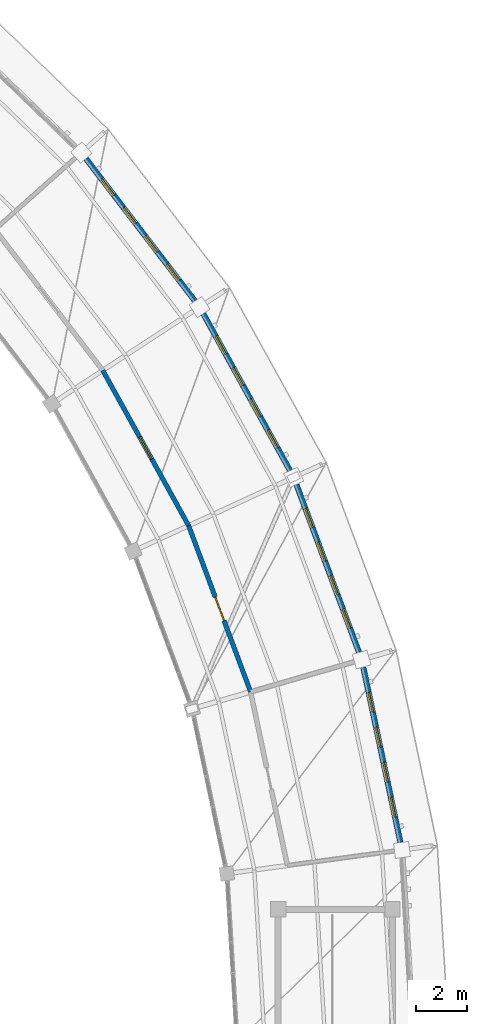
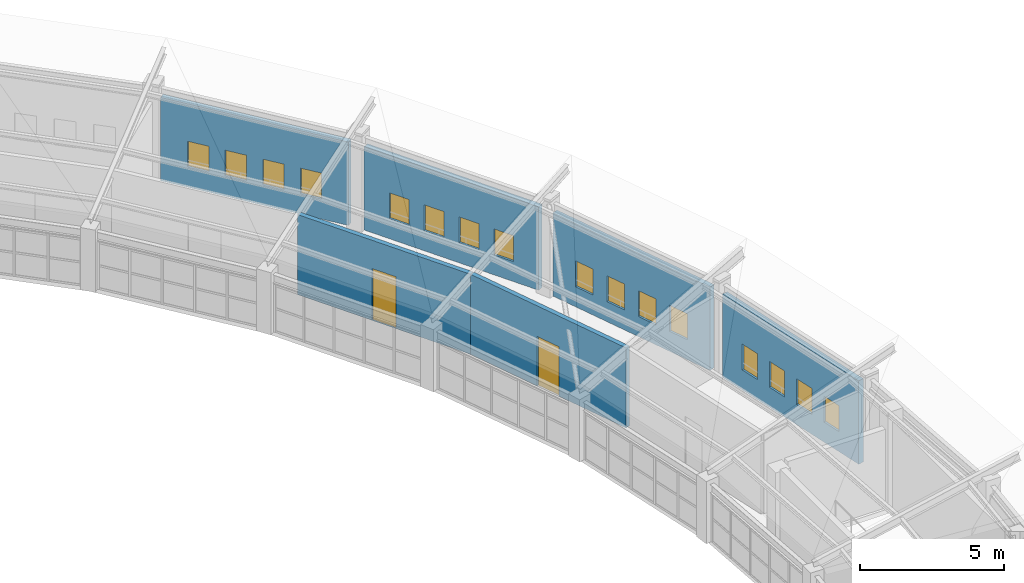
# One storey, part 134 of 149: 16 windows, 6 walls, 2 doors, 18 openings.
"""IFC4 building model written with IfcOpenShell, lengths in metres."""

from ifc_helpers import new_model, si_unit, direction, frame, frame_2d, origin, place, context, subcontext, project, spatial, rectangle, extrude, material, layer, layer_set, type_object, element, fill, save


model = new_model("IFC4")

# Units and contexts
model_context = context("Model", 3, precision=1e-05, world=origin(), true_north=direction((0.0, 1.0)))
body_context = subcontext(model_context, "Body", "Model", "MODEL_VIEW")
ifc_project = project(units=[si_unit("LENGTHUNIT", "METRE"), si_unit("AREAUNIT", "SQUARE_METRE"), si_unit("VOLUMEUNIT", "CUBIC_METRE"), si_unit("PLANEANGLEUNIT", "RADIAN"), si_unit("MASSUNIT", "GRAM", prefix="KILO")], contexts=[model_context])

# Site, building, storey
site_placement = place(None, origin())
site = spatial("IfcSite", under=ifc_project, at=site_placement, CompositionType="ELEMENT")
building_placement = place(site_placement, origin())
building = spatial("IfcBuilding", under=site, at=building_placement, Name="Celadon Cloister-Ring School", CompositionType="ELEMENT")
storey_placement = place(building_placement, frame((0.0, 0.0, 12.5)))
storey = spatial("IfcBuildingStorey", under=building, at=storey_placement, Name="L03", CompositionType="ELEMENT", Elevation=12.5)

# Wall, openings, windows
ifc_material_1 = material(Name="Perforated terracotta clay brick masonry", Category="masonry")
ifc_layer_1 = layer(ifc_material_1, 0.219970703125)
ifc_layer_set_1 = layer_set([ifc_layer_1], Name="Perforated terracotta clay brick masonry")
wall_type_1 = type_object("IfcWallType", Name="WT-EX4", PredefinedType="SOLIDWALL", material=ifc_layer_set_1)
wall_1_placement = place(storey_placement, frame((136.9990234375, 73.2041015625, 0.0), z_axis=(0.0, 0.0, 1.0), x_axis=(0.207259317734, -0.978286039567, 0.0)))
wall_1 = element("IfcWall", 1, at=wall_1_placement, inside=storey, type_object=wall_type_1, Name="Exterior Wall 0203", PredefinedType="SOLIDWALL", context=body_context, shape_type="SweptSolid", body=[
    extrude(rectangle(XDim=7.0830078125, YDim=0.219970703125, at=frame_2d((3.54150390625, 0.0))), origin(), (0.0, 0.0, 1.0), 3.537109375),
])
opening_1_placement = place(wall_1_placement, frame((1.01708984375, 0.0, 0.85009765625)))
opening_1 = element("IfcOpeningElement", 2, at=opening_1_placement, cuts=wall_1, Name="Opening WN-01", PredefinedType="OPENING", context=body_context, shape_type="SweptSolid", body=[
    extrude(rectangle(XDim=0.800048828125, YDim=1.10009765625, at=frame_2d((0.39990234375, 0.550048828125))), frame((0.0, 0.1201171875, 0.0), z_axis=(0.0, -1.0, 0.0), x_axis=(1.0, 0.0, 0.0)), (0.0, 0.0, 1.0), 0.239990234375),
])
opening_2_placement = place(wall_1_placement, frame((2.43310546875, 0.0, 0.85009765625)))
opening_2 = element("IfcOpeningElement", 3, at=opening_2_placement, cuts=wall_1, Name="Opening WN-01", PredefinedType="OPENING", context=body_context, shape_type="SweptSolid", body=[
    extrude(rectangle(XDim=0.800048828125, YDim=1.10009765625, at=frame_2d((0.39990234375, 0.550048828125))), frame((0.0, 0.1201171875, 0.0), z_axis=(0.0, -1.0, 0.0), x_axis=(1.0, 0.0, 0.0)), (0.0, 0.0, 1.0), 0.239990234375),
])
opening_3_placement = place(wall_1_placement, frame((3.85009765625, 0.0, 0.85009765625)))
opening_3 = element("IfcOpeningElement", 4, at=opening_3_placement, cuts=wall_1, Name="Opening WN-01", PredefinedType="OPENING", context=body_context, shape_type="SweptSolid", body=[
    extrude(rectangle(XDim=0.800048828125, YDim=1.10009765625, at=frame_2d((0.39990234375, 0.550048828125))), frame((0.0, 0.1201171875, 0.0), z_axis=(0.0, -1.0, 0.0), x_axis=(1.0, 0.0, 0.0)), (0.0, 0.0, 1.0), 0.239990234375),
])
opening_4_placement = place(wall_1_placement, frame((5.26611328125, 0.0, 0.85009765625)))
opening_4 = element("IfcOpeningElement", 5, at=opening_4_placement, cuts=wall_1, Name="Opening WN-01", PredefinedType="OPENING", context=body_context, shape_type="SweptSolid", body=[
    extrude(rectangle(XDim=0.800048828125, YDim=1.10009765625, at=frame_2d((0.39990234375, 0.550048828125))), frame((0.0, 0.1201171875, 0.0), z_axis=(0.0, -1.0, 0.0), x_axis=(1.0, 0.0, 0.0)), (0.0, 0.0, 1.0), 0.239990234375),
])
ifc_material_2 = material(Name="Tempered laminated insulating glass", Category="glass")
window_type = type_object("IfcWindowType", Name="WN-01", PartitioningType="SINGLE_PANEL", PredefinedType="WINDOW", material=ifc_material_2)
window_1_placement = place(opening_1_placement, origin())
window_1 = element("IfcWindow", 6, at=window_1_placement, inside=storey, type_object=window_type, Name="Window 0552", OverallHeight=1.10009765625, OverallWidth=0.800048828125, PartitioningType="SINGLE_PANEL", PredefinedType="WINDOW", context=body_context, shape_type="SweptSolid", body=[
    extrude(rectangle(XDim=0.800048828125, YDim=1.10009765625, at=frame_2d((0.39990234375, 0.550048828125))), frame((0.0, 0.030029296875, 0.0), z_axis=(0.0, -1.0, 0.0), x_axis=(1.0, 0.0, 0.0)), (0.0, 0.0, 1.0), 0.06005859375),
])
fill(opening_1, window_1)
window_2_placement = place(opening_2_placement, origin())
window_2 = element("IfcWindow", 7, at=window_2_placement, inside=storey, type_object=window_type, Name="Window 0553", OverallHeight=1.10009765625, OverallWidth=0.800048828125, PartitioningType="SINGLE_PANEL", PredefinedType="WINDOW", context=body_context, shape_type="SweptSolid", body=[
    extrude(rectangle(XDim=0.800048828125, YDim=1.10009765625, at=frame_2d((0.39990234375, 0.550048828125))), frame((0.0, 0.030029296875, 0.0), z_axis=(0.0, -1.0, 0.0), x_axis=(1.0, 0.0, 0.0)), (0.0, 0.0, 1.0), 0.06005859375),
])
fill(opening_2, window_2)
window_3_placement = place(opening_3_placement, origin())
window_3 = element("IfcWindow", 8, at=window_3_placement, inside=storey, type_object=window_type, Name="Window 0554", OverallHeight=1.10009765625, OverallWidth=0.800048828125, PartitioningType="SINGLE_PANEL", PredefinedType="WINDOW", context=body_context, shape_type="SweptSolid", body=[
    extrude(rectangle(XDim=0.800048828125, YDim=1.10009765625, at=frame_2d((0.39990234375, 0.550048828125))), frame((0.0, 0.030029296875, 0.0), z_axis=(0.0, -1.0, 0.0), x_axis=(1.0, 0.0, 0.0)), (0.0, 0.0, 1.0), 0.06005859375),
])
fill(opening_3, window_3)
window_4_placement = place(opening_4_placement, origin())
window_4 = element("IfcWindow", 9, at=window_4_placement, inside=storey, type_object=window_type, Name="Window 0555", OverallHeight=1.10009765625, OverallWidth=0.800048828125, PartitioningType="SINGLE_PANEL", PredefinedType="WINDOW", context=body_context, shape_type="SweptSolid", body=[
    extrude(rectangle(XDim=0.800048828125, YDim=1.10009765625, at=frame_2d((0.39990234375, 0.550048828125))), frame((0.0, 0.030029296875, 0.0), z_axis=(0.0, -1.0, 0.0), x_axis=(1.0, 0.0, 0.0)), (0.0, 0.0, 1.0), 0.06005859375),
])
fill(opening_4, window_4)

wall_2_placement = place(storey_placement, frame((134.35302734375, 80.43505859375, 0.0), z_axis=(0.0, 0.0, 1.0), x_axis=(0.349192123714, -0.937051151611, 0.0)))
wall_2 = element("IfcWall", 10, at=wall_2_placement, inside=storey, type_object=wall_type_1, Name="Exterior Wall 0204", PredefinedType="SOLIDWALL", context=body_context, shape_type="SweptSolid", body=[
    extrude(rectangle(XDim=7.081787109375, YDim=0.219970703125, at=frame_2d((3.541015625, 0.0))), origin(), (0.0, 0.0, 1.0), 3.537109375),
])
opening_5_placement = place(wall_2_placement, frame((1.01611328125, 0.0, 0.85009765625)))
opening_5 = element("IfcOpeningElement", 11, at=opening_5_placement, cuts=wall_2, Name="Opening WN-01", PredefinedType="OPENING", context=body_context, shape_type="SweptSolid", body=[
    extrude(rectangle(XDim=0.800048828125, YDim=1.10009765625, at=frame_2d((0.39990234375, 0.550048828125))), frame((0.0, 0.1201171875, 0.0), z_axis=(0.0, -1.0, 0.0), x_axis=(1.0, 0.0, 0.0)), (0.0, 0.0, 1.0), 0.239990234375),
])
opening_6_placement = place(wall_2_placement, frame((2.43310546875, 0.0, 0.85009765625)))
opening_6 = element("IfcOpeningElement", 12, at=opening_6_placement, cuts=wall_2, Name="Opening WN-01", PredefinedType="OPENING", context=body_context, shape_type="SweptSolid", body=[
    extrude(rectangle(XDim=0.800048828125, YDim=1.10009765625, at=frame_2d((0.39990234375, 0.550048828125))), frame((0.0, 0.1201171875, 0.0), z_axis=(0.0, -1.0, 0.0), x_axis=(1.0, 0.0, 0.0)), (0.0, 0.0, 1.0), 0.239990234375),
])
opening_7_placement = place(wall_2_placement, frame((3.84912109375, 0.0, 0.85009765625)))
opening_7 = element("IfcOpeningElement", 13, at=opening_7_placement, cuts=wall_2, Name="Opening WN-01", PredefinedType="OPENING", context=body_context, shape_type="SweptSolid", body=[
    extrude(rectangle(XDim=0.800048828125, YDim=1.10009765625, at=frame_2d((0.39990234375, 0.550048828125))), frame((0.0, 0.1201171875, 0.0), z_axis=(0.0, -1.0, 0.0), x_axis=(1.0, 0.0, 0.0)), (0.0, 0.0, 1.0), 0.239990234375),
])
opening_8_placement = place(wall_2_placement, frame((5.264892578125, 0.0, 0.85009765625)))
opening_8 = element("IfcOpeningElement", 14, at=opening_8_placement, cuts=wall_2, Name="Opening WN-01", PredefinedType="OPENING", context=body_context, shape_type="SweptSolid", body=[
    extrude(rectangle(XDim=0.800048828125, YDim=1.10009765625, at=frame_2d((0.39990234375, 0.550048828125))), frame((0.0, 0.1201171875, 0.0), z_axis=(0.0, -1.0, 0.0), x_axis=(1.0, 0.0, 0.0)), (0.0, 0.0, 1.0), 0.239990234375),
])
window_5_placement = place(opening_5_placement, origin())
window_5 = element("IfcWindow", 15, at=window_5_placement, inside=storey, type_object=window_type, Name="Window 0556", OverallHeight=1.10009765625, OverallWidth=0.800048828125, PartitioningType="SINGLE_PANEL", PredefinedType="WINDOW", context=body_context, shape_type="SweptSolid", body=[
    extrude(rectangle(XDim=0.800048828125, YDim=1.10009765625, at=frame_2d((0.39990234375, 0.550048828125))), frame((0.0, 0.030029296875, 0.0), z_axis=(0.0, -1.0, 0.0), x_axis=(1.0, 0.0, 0.0)), (0.0, 0.0, 1.0), 0.06005859375),
])
fill(opening_5, window_5)
window_6_placement = place(opening_6_placement, origin())
window_6 = element("IfcWindow", 16, at=window_6_placement, inside=storey, type_object=window_type, Name="Window 0557", OverallHeight=1.10009765625, OverallWidth=0.800048828125, PartitioningType="SINGLE_PANEL", PredefinedType="WINDOW", context=body_context, shape_type="SweptSolid", body=[
    extrude(rectangle(XDim=0.800048828125, YDim=1.10009765625, at=frame_2d((0.39990234375, 0.550048828125))), frame((0.0, 0.030029296875, 0.0), z_axis=(0.0, -1.0, 0.0), x_axis=(1.0, 0.0, 0.0)), (0.0, 0.0, 1.0), 0.06005859375),
])
fill(opening_6, window_6)
window_7_placement = place(opening_7_placement, origin())
window_7 = element("IfcWindow", 17, at=window_7_placement, inside=storey, type_object=window_type, Name="Window 0558", OverallHeight=1.10009765625, OverallWidth=0.800048828125, PartitioningType="SINGLE_PANEL", PredefinedType="WINDOW", context=body_context, shape_type="SweptSolid", body=[
    extrude(rectangle(XDim=0.800048828125, YDim=1.10009765625, at=frame_2d((0.39990234375, 0.550048828125))), frame((0.0, 0.030029296875, 0.0), z_axis=(0.0, -1.0, 0.0), x_axis=(1.0, 0.0, 0.0)), (0.0, 0.0, 1.0), 0.06005859375),
])
fill(opening_7, window_7)
window_8_placement = place(opening_8_placement, origin())
window_8 = element("IfcWindow", 18, at=window_8_placement, inside=storey, type_object=window_type, Name="Window 0559", OverallHeight=1.10009765625, OverallWidth=0.800048828125, PartitioningType="SINGLE_PANEL", PredefinedType="WINDOW", context=body_context, shape_type="SweptSolid", body=[
    extrude(rectangle(XDim=0.800048828125, YDim=1.10009765625, at=frame_2d((0.39990234375, 0.550048828125))), frame((0.0, 0.030029296875, 0.0), z_axis=(0.0, -1.0, 0.0), x_axis=(1.0, 0.0, 0.0)), (0.0, 0.0, 1.0), 0.06005859375),
])
fill(opening_8, window_8)

wall_3_placement = place(storey_placement, frame((130.6669921875, 87.195068359375, 0.0), z_axis=(0.0, 0.0, 1.0), x_axis=(0.483832760768, -0.875160476489, 0.0)))
wall_3 = element("IfcWall", 19, at=wall_3_placement, inside=storey, type_object=wall_type_1, Name="Exterior Wall 0205", PredefinedType="SOLIDWALL", context=body_context, shape_type="SweptSolid", body=[
    extrude(rectangle(XDim=7.0810546875, YDim=0.219970703125, at=frame_2d((3.54052734375, 0.0))), origin(), (0.0, 0.0, 1.0), 3.537109375),
])
opening_9_placement = place(wall_3_placement, frame((1.01611328125, 0.0, 0.85009765625)))
opening_9 = element("IfcOpeningElement", 20, at=opening_9_placement, cuts=wall_3, Name="Opening WN-01", PredefinedType="OPENING", context=body_context, shape_type="SweptSolid", body=[
    extrude(rectangle(XDim=0.800048828125, YDim=1.10009765625, at=frame_2d((0.39990234375, 0.550048828125))), frame((0.0, 0.1201171875, 0.0), z_axis=(0.0, -1.0, 0.0), x_axis=(1.0, 0.0, 0.0)), (0.0, 0.0, 1.0), 0.239990234375),
])
opening_10_placement = place(wall_3_placement, frame((2.431884765625, 0.0, 0.85009765625)))
opening_10 = element("IfcOpeningElement", 21, at=opening_10_placement, cuts=wall_3, Name="Opening WN-01", PredefinedType="OPENING", context=body_context, shape_type="SweptSolid", body=[
    extrude(rectangle(XDim=0.800048828125, YDim=1.10009765625, at=frame_2d((0.39990234375, 0.550048828125))), frame((0.0, 0.1201171875, 0.0), z_axis=(0.0, -1.0, 0.0), x_axis=(1.0, 0.0, 0.0)), (0.0, 0.0, 1.0), 0.239990234375),
])
opening_11_placement = place(wall_3_placement, frame((3.84912109375, 0.0, 0.85009765625)))
opening_11 = element("IfcOpeningElement", 22, at=opening_11_placement, cuts=wall_3, Name="Opening WN-01", PredefinedType="OPENING", context=body_context, shape_type="SweptSolid", body=[
    extrude(rectangle(XDim=0.800048828125, YDim=1.10009765625, at=frame_2d((0.39990234375, 0.550048828125))), frame((0.0, 0.1201171875, 0.0), z_axis=(0.0, -1.0, 0.0), x_axis=(1.0, 0.0, 0.0)), (0.0, 0.0, 1.0), 0.239990234375),
])
opening_12_placement = place(wall_3_placement, frame((5.264892578125, 0.0, 0.85009765625)))
opening_12 = element("IfcOpeningElement", 23, at=opening_12_placement, cuts=wall_3, Name="Opening WN-01", PredefinedType="OPENING", context=body_context, shape_type="SweptSolid", body=[
    extrude(rectangle(XDim=0.800048828125, YDim=1.10009765625, at=frame_2d((0.39990234375, 0.550048828125))), frame((0.0, 0.1201171875, 0.0), z_axis=(0.0, -1.0, 0.0), x_axis=(1.0, 0.0, 0.0)), (0.0, 0.0, 1.0), 0.239990234375),
])
window_9_placement = place(opening_9_placement, origin())
window_9 = element("IfcWindow", 24, at=window_9_placement, inside=storey, type_object=window_type, Name="Window 0560", OverallHeight=1.10009765625, OverallWidth=0.800048828125, PartitioningType="SINGLE_PANEL", PredefinedType="WINDOW", context=body_context, shape_type="SweptSolid", body=[
    extrude(rectangle(XDim=0.800048828125, YDim=1.10009765625, at=frame_2d((0.39990234375, 0.550048828125))), frame((0.0, 0.030029296875, 0.0), z_axis=(0.0, -1.0, 0.0), x_axis=(1.0, 0.0, 0.0)), (0.0, 0.0, 1.0), 0.06005859375),
])
fill(opening_9, window_9)
window_10_placement = place(opening_10_placement, origin())
window_10 = element("IfcWindow", 25, at=window_10_placement, inside=storey, type_object=window_type, Name="Window 0561", OverallHeight=1.10009765625, OverallWidth=0.800048828125, PartitioningType="SINGLE_PANEL", PredefinedType="WINDOW", context=body_context, shape_type="SweptSolid", body=[
    extrude(rectangle(XDim=0.800048828125, YDim=1.10009765625, at=frame_2d((0.39990234375, 0.550048828125))), frame((0.0, 0.030029296875, 0.0), z_axis=(0.0, -1.0, 0.0), x_axis=(1.0, 0.0, 0.0)), (0.0, 0.0, 1.0), 0.06005859375),
])
fill(opening_10, window_10)
window_11_placement = place(opening_11_placement, origin())
window_11 = element("IfcWindow", 26, at=window_11_placement, inside=storey, type_object=window_type, Name="Window 0562", OverallHeight=1.10009765625, OverallWidth=0.800048828125, PartitioningType="SINGLE_PANEL", PredefinedType="WINDOW", context=body_context, shape_type="SweptSolid", body=[
    extrude(rectangle(XDim=0.800048828125, YDim=1.10009765625, at=frame_2d((0.39990234375, 0.550048828125))), frame((0.0, 0.030029296875, 0.0), z_axis=(0.0, -1.0, 0.0), x_axis=(1.0, 0.0, 0.0)), (0.0, 0.0, 1.0), 0.06005859375),
])
fill(opening_11, window_11)
window_12_placement = place(opening_12_placement, origin())
window_12 = element("IfcWindow", 27, at=window_12_placement, inside=storey, type_object=window_type, Name="Window 0563", OverallHeight=1.10009765625, OverallWidth=0.800048828125, PartitioningType="SINGLE_PANEL", PredefinedType="WINDOW", context=body_context, shape_type="SweptSolid", body=[
    extrude(rectangle(XDim=0.800048828125, YDim=1.10009765625, at=frame_2d((0.39990234375, 0.550048828125))), frame((0.0, 0.030029296875, 0.0), z_axis=(0.0, -1.0, 0.0), x_axis=(1.0, 0.0, 0.0)), (0.0, 0.0, 1.0), 0.06005859375),
])
fill(opening_12, window_12)

wall_4_placement = place(storey_placement, frame((126.02099609375, 93.3369140625, 0.0), z_axis=(0.0, 0.0, 1.0), x_axis=(0.607995054755, -0.793940812273, 0.0)))
wall_4 = element("IfcWall", 28, at=wall_4_placement, inside=storey, type_object=wall_type_1, Name="Exterior Wall 0206", PredefinedType="SOLIDWALL", context=body_context, shape_type="SweptSolid", body=[
    extrude(rectangle(XDim=7.08203125, YDim=0.219970703125, at=frame_2d((3.541015625, 0.0))), origin(), (0.0, 0.0, 1.0), 3.537109375),
])
opening_13_placement = place(wall_4_placement, frame((1.01611328125, 0.0, 0.85009765625)))
opening_13 = element("IfcOpeningElement", 29, at=opening_13_placement, cuts=wall_4, Name="Opening WN-01", PredefinedType="OPENING", context=body_context, shape_type="SweptSolid", body=[
    extrude(rectangle(XDim=0.800048828125, YDim=1.10009765625, at=frame_2d((0.39990234375, 0.550048828125))), frame((0.0, 0.1201171875, 0.0), z_axis=(0.0, -1.0, 0.0), x_axis=(1.0, 0.0, 0.0)), (0.0, 0.0, 1.0), 0.239990234375),
])
opening_14_placement = place(wall_4_placement, frame((2.43310546875, 0.0, 0.85009765625)))
opening_14 = element("IfcOpeningElement", 30, at=opening_14_placement, cuts=wall_4, Name="Opening WN-01", PredefinedType="OPENING", context=body_context, shape_type="SweptSolid", body=[
    extrude(rectangle(XDim=0.800048828125, YDim=1.10009765625, at=frame_2d((0.39990234375, 0.550048828125))), frame((0.0, 0.1201171875, 0.0), z_axis=(0.0, -1.0, 0.0), x_axis=(1.0, 0.0, 0.0)), (0.0, 0.0, 1.0), 0.239990234375),
])
opening_15_placement = place(wall_4_placement, frame((3.84912109375, 0.0, 0.85009765625)))
opening_15 = element("IfcOpeningElement", 31, at=opening_15_placement, cuts=wall_4, Name="Opening WN-01", PredefinedType="OPENING", context=body_context, shape_type="SweptSolid", body=[
    extrude(rectangle(XDim=0.800048828125, YDim=1.10009765625, at=frame_2d((0.39990234375, 0.550048828125))), frame((0.0, 0.1201171875, 0.0), z_axis=(0.0, -1.0, 0.0), x_axis=(1.0, 0.0, 0.0)), (0.0, 0.0, 1.0), 0.239990234375),
])
opening_16_placement = place(wall_4_placement, frame((5.26611328125, 0.0, 0.85009765625)))
opening_16 = element("IfcOpeningElement", 32, at=opening_16_placement, cuts=wall_4, Name="Opening WN-01", PredefinedType="OPENING", context=body_context, shape_type="SweptSolid", body=[
    extrude(rectangle(XDim=0.800048828125, YDim=1.10009765625, at=frame_2d((0.39990234375, 0.550048828125))), frame((0.0, 0.1201171875, 0.0), z_axis=(0.0, -1.0, 0.0), x_axis=(1.0, 0.0, 0.0)), (0.0, 0.0, 1.0), 0.239990234375),
])
window_13_placement = place(opening_13_placement, origin())
window_13 = element("IfcWindow", 33, at=window_13_placement, inside=storey, type_object=window_type, Name="Window 0564", OverallHeight=1.10009765625, OverallWidth=0.800048828125, PartitioningType="SINGLE_PANEL", PredefinedType="WINDOW", context=body_context, shape_type="SweptSolid", body=[
    extrude(rectangle(XDim=0.800048828125, YDim=1.10009765625, at=frame_2d((0.39990234375, 0.550048828125))), frame((0.0, 0.030029296875, 0.0), z_axis=(0.0, -1.0, 0.0), x_axis=(1.0, 0.0, 0.0)), (0.0, 0.0, 1.0), 0.06005859375),
])
fill(opening_13, window_13)
window_14_placement = place(opening_14_placement, origin())
window_14 = element("IfcWindow", 34, at=window_14_placement, inside=storey, type_object=window_type, Name="Window 0565", OverallHeight=1.10009765625, OverallWidth=0.800048828125, PartitioningType="SINGLE_PANEL", PredefinedType="WINDOW", context=body_context, shape_type="SweptSolid", body=[
    extrude(rectangle(XDim=0.800048828125, YDim=1.10009765625, at=frame_2d((0.39990234375, 0.550048828125))), frame((0.0, 0.030029296875, 0.0), z_axis=(0.0, -1.0, 0.0), x_axis=(1.0, 0.0, 0.0)), (0.0, 0.0, 1.0), 0.06005859375),
])
fill(opening_14, window_14)
window_15_placement = place(opening_15_placement, origin())
window_15 = element("IfcWindow", 35, at=window_15_placement, inside=storey, type_object=window_type, Name="Window 0566", OverallHeight=1.10009765625, OverallWidth=0.800048828125, PartitioningType="SINGLE_PANEL", PredefinedType="WINDOW", context=body_context, shape_type="SweptSolid", body=[
    extrude(rectangle(XDim=0.800048828125, YDim=1.10009765625, at=frame_2d((0.39990234375, 0.550048828125))), frame((0.0, 0.030029296875, 0.0), z_axis=(0.0, -1.0, 0.0), x_axis=(1.0, 0.0, 0.0)), (0.0, 0.0, 1.0), 0.06005859375),
])
fill(opening_15, window_15)
window_16_placement = place(opening_16_placement, origin())
window_16 = element("IfcWindow", 36, at=window_16_placement, inside=storey, type_object=window_type, Name="Window 0567", OverallHeight=1.10009765625, OverallWidth=0.800048828125, PartitioningType="SINGLE_PANEL", PredefinedType="WINDOW", context=body_context, shape_type="SweptSolid", body=[
    extrude(rectangle(XDim=0.800048828125, YDim=1.10009765625, at=frame_2d((0.39990234375, 0.550048828125))), frame((0.0, 0.030029296875, 0.0), z_axis=(0.0, -1.0, 0.0), x_axis=(1.0, 0.0, 0.0)), (0.0, 0.0, 1.0), 0.06005859375),
])
fill(opening_16, window_16)

# Wall, opening, door
ifc_material_3 = material(Name="Plastered hollow concrete masonry", Category="masonry")
ifc_layer_2 = layer(ifc_material_3, 0.179931640625)
ifc_layer_set_2 = layer_set([ifc_layer_2], Name="Plastered hollow concrete masonry")
wall_type_2 = type_object("IfcWallType", Name="WT-PT2", PredefinedType="PARTITIONING", material=ifc_layer_set_2)
wall_5_placement = place(storey_placement, frame((132.537109375, 72.22998046875, 0.0), z_axis=(0.0, 0.0, 1.0), x_axis=(-0.349355556836, 0.936990232024, 0.0)))
wall_5 = element("IfcWall", 37, at=wall_5_placement, inside=storey, type_object=wall_type_2, Name="Interior Wall 0633", PredefinedType="PARTITIONING", context=body_context, shape_type="SweptSolid", body=[
    extrude(rectangle(XDim=7.024658203125, YDim=0.179931640625, at=frame_2d((3.51220703125, 0.0))), origin(), (0.0, 0.0, 1.0), 3.39697265625),
])
opening_17_placement = place(wall_5_placement, frame((3.011962890625, 0.0, 0.0)))
opening_17 = element("IfcOpeningElement", 38, at=opening_17_placement, cuts=wall_5, Name="Opening D-0230", PredefinedType="OPENING", context=body_context, shape_type="SweptSolid", body=[
    extrude(rectangle(XDim=1.0, YDim=2.10009765625, at=frame_2d((0.5, 1.050048828125))), frame((0.0, 0.10009765625, 0.0), z_axis=(0.0, -1.0, 0.0), x_axis=(1.0, 0.0, 0.0)), (0.0, 0.0, 1.0), 0.199951171875),
])
ifc_material_4 = material(Name="Solid-core fire-rated hardwood leaf", Category="wood")
door_type_1 = type_object("IfcDoorType", Name="DT-04", OperationType="NOTDEFINED", PredefinedType="DOOR", material=ifc_material_4)
door_1_placement = place(opening_17_placement, origin())
door_1 = element("IfcDoor", 39, at=door_1_placement, inside=storey, type_object=door_type_1, Name="Door D-0230", OperationType="SINGLE_SWING_RIGHT", OverallHeight=2.10009765625, OverallWidth=1.0, PredefinedType="DOOR", context=body_context, shape_type="SweptSolid", body=[
    extrude(rectangle(XDim=1.0, YDim=2.10009765625, at=frame_2d((0.5, 1.050048828125))), frame((0.0, 0.02490234375, 0.0), z_axis=(0.0, -1.0, 0.0), x_axis=(1.0, 0.0, 0.0)), (0.0, 0.0, 1.0), 0.050048828125),
])
fill(opening_17, door_1)

wall_6_placement = place(storey_placement, frame((130.0830078125, 78.81201171875, 0.0), z_axis=(0.0, 0.0, 1.0), x_axis=(-0.483942492513, 0.875099802274, 0.0)))
wall_6 = element("IfcWall", 40, at=wall_6_placement, inside=storey, type_object=wall_type_2, Name="Interior Wall 0634", PredefinedType="PARTITIONING", context=body_context, shape_type="SweptSolid", body=[
    extrude(rectangle(XDim=7.025390625, YDim=0.179931640625, at=frame_2d((3.5126953125, 0.0))), origin(), (0.0, 0.0, 1.0), 3.39697265625),
])
opening_18_placement = place(wall_6_placement, frame((3.02294921875, 0.0, 0.0)))
opening_18 = element("IfcOpeningElement", 41, at=opening_18_placement, cuts=wall_6, Name="Opening D-0231", PredefinedType="OPENING", context=body_context, shape_type="SweptSolid", body=[
    extrude(rectangle(XDim=0.97998046875, YDim=2.199951171875, at=frame_2d((0.489990234375, 1.10009765625))), frame((0.0, 0.10009765625, 0.0), z_axis=(0.0, -1.0, 0.0), x_axis=(1.0, 0.0, 0.0)), (0.0, 0.0, 1.0), 0.199951171875),
])
ifc_material_5 = material(Name="Solid-core fire-rated hardwood leaf", Category="wood")
door_type_2 = type_object("IfcDoorType", Name="DT-07", OperationType="NOTDEFINED", PredefinedType="DOOR", material=ifc_material_5)
door_2_placement = place(opening_18_placement, origin())
door_2 = element("IfcDoor", 42, at=door_2_placement, inside=storey, type_object=door_type_2, Name="Door D-0231", OperationType="SINGLE_SWING_LEFT", OverallHeight=2.199951171875, OverallWidth=0.97998046875, PredefinedType="DOOR", context=body_context, shape_type="SweptSolid", body=[
    extrude(rectangle(XDim=0.97998046875, YDim=2.199951171875, at=frame_2d((0.489990234375, 1.10009765625))), frame((0.0, 0.02490234375, 0.0), z_axis=(0.0, -1.0, 0.0), x_axis=(1.0, 0.0, 0.0)), (0.0, 0.0, 1.0), 0.050048828125),
])
fill(opening_18, door_2)

save(model, "model.ifc")
